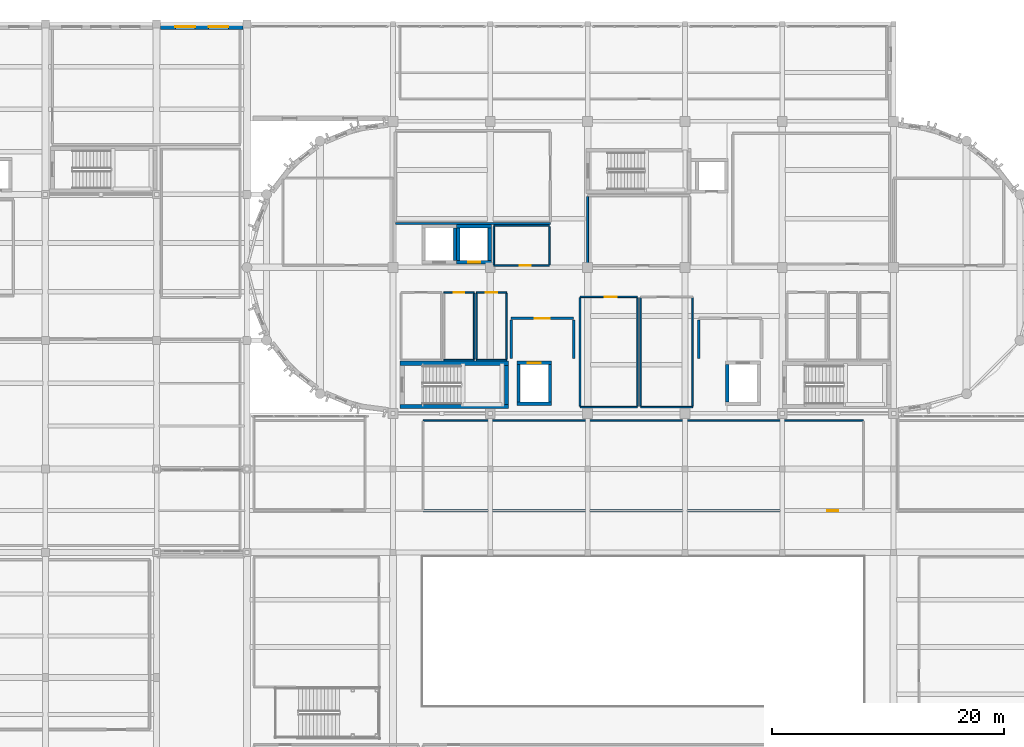
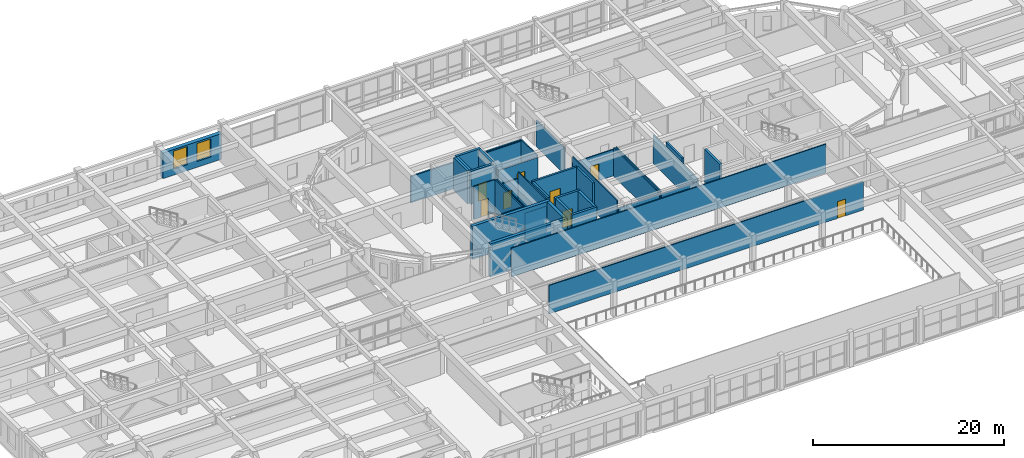
# One storey, part 69 of 92: 40 walls, 8 doors, 2 windows, 10 openings.
"""IFC4 building model written with IfcOpenShell, lengths in metres."""

from ifc_helpers import new_model, si_unit, direction, frame, frame_2d, origin, place, context, subcontext, project, spatial, rectangle, extrude, material, layer, layer_set, type_object, element, fill, save


model = new_model("IFC4")

# Units and contexts
model_context = context("Model", 3, precision=1e-05, world=origin(), true_north=direction((0.0, 1.0)))
body_context = subcontext(model_context, "Body", "Model", "MODEL_VIEW")
ifc_project = project(units=[si_unit("LENGTHUNIT", "METRE"), si_unit("AREAUNIT", "SQUARE_METRE"), si_unit("VOLUMEUNIT", "CUBIC_METRE"), si_unit("PLANEANGLEUNIT", "RADIAN"), si_unit("MASSUNIT", "GRAM", prefix="KILO")], contexts=[model_context])

# Site, building, storey
site_placement = place(None, origin())
site = spatial("IfcSite", under=ifc_project, at=site_placement, CompositionType="ELEMENT")
building_placement = place(site_placement, origin())
building = spatial("IfcBuilding", under=site, at=building_placement, Name="Tarnavel Promenade Courthouse", CompositionType="ELEMENT")
storey_placement = place(building_placement, frame((0.0, 0.0, 5.39990234375)))
storey = spatial("IfcBuildingStorey", under=building, at=storey_placement, Name="L02", CompositionType="ELEMENT", Elevation=5.39990234375)

# Wall
ifc_material_1 = material(Name="Acoustic Insulated Gypsum Stud Partition", Category="gypsum")
ifc_layer_1 = layer(ifc_material_1, 0.1650390625)
ifc_layer_set_1 = layer_set([ifc_layer_1], Name="Acoustic Insulated Gypsum Stud Partition")
wall_type_1 = type_object("IfcWallType", Name="Acoustic Insulated Gypsum Stud Partition WL-CHM-165 (165 mm)", PredefinedType="PARTITIONING", material=ifc_layer_set_1)
wall_1_placement = place(storey_placement, frame((75.60009765625, 92.04248046875, 0.0), z_axis=(0.0, 0.0, 1.0), x_axis=(0.0, 1.0, 0.0)))
element("IfcWall", 1, at=wall_1_placement, inside=storey, type_object=wall_type_1, Name="L02 L02 Judicial Panel Deliberation Salon Partition 0380", PredefinedType="PARTITIONING", context=body_context, shape_type="SweptSolid", body=[
    extrude(rectangle(XDim=5.864990234375, YDim=0.1650390625, at=frame_2d((2.9326171875, 0.0))), origin(), (0.0, 0.0, 1.0), 3.3701171875),
])

# Wall, opening, door
ifc_material_2 = material(Name="Concrete C40/50", Category="concrete")
ifc_layer_2 = layer(ifc_material_2, 0.280029296875)
ifc_layer_set_2 = layer_set([ifc_layer_2], Name="Concrete C40/50")
wall_type_2 = type_object("IfcWallType", Name="Concrete C40/50 WL-SHR-280 (280 mm)", PredefinedType="SHEAR", material=ifc_layer_set_2)
wall_2_placement = place(storey_placement, frame((69.5, 83.56005859375, 0.0), z_axis=(0.0, 0.0, 1.0), x_axis=(1.0, 0.0, 0.0)))
wall_2 = element("IfcWall", 2, at=wall_2_placement, inside=storey, type_object=wall_type_2, Name="L02 L-FF1 Lift Shaft North Wall", PredefinedType="SHEAR", context=body_context, shape_type="SweptSolid", body=[
    extrude(rectangle(XDim=3.0, YDim=0.280029296875, at=frame_2d((1.5, 0.0))), origin(), (0.0, 0.0, 1.0), 4.239990234375),
])
opening_1_placement = place(wall_2_placement, frame((0.949951171875, 0.0, 0.0)))
opening_1 = element("IfcOpeningElement", 3, at=opening_1_placement, cuts=wall_2, Name="Opening LD-01", PredefinedType="OPENING", context=body_context, shape_type="SweptSolid", body=[
    extrude(rectangle(XDim=1.10009765625, YDim=2.199951171875, at=frame_2d((0.550048828125, 1.10009765625))), frame((0.0, 0.14990234375, 0.0), z_axis=(0.0, -1.0, 0.0), x_axis=(1.0, 0.0, 0.0)), (0.0, 0.0, 1.0), 0.300048828125),
])
ifc_material_3 = material(Name="Stainless Steel Firefighting Lift Landing Sliding Door", Category="steel")
door_type_1 = type_object("IfcDoorType", Name="Stainless Steel Firefighting Lift Landing Sliding Door (LD-FF-1100x2200)", OperationType="NOTDEFINED", PredefinedType="DOOR", material=ifc_material_3)
door_1_placement = place(opening_1_placement, origin())
door_1 = element("IfcDoor", 4, at=door_1_placement, inside=storey, type_object=door_type_1, Name="L02 L-FF1 Lift Sliding Landing Door", OperationType="DOUBLE_DOOR_SLIDING", OverallHeight=2.199951171875, OverallWidth=1.10009765625, PredefinedType="DOOR", context=body_context, shape_type="SweptSolid", body=[
    extrude(rectangle(XDim=1.10009765625, YDim=2.199951171875, at=frame_2d((0.550048828125, 1.10009765625))), frame((0.0, 0.02490234375, 0.0), z_axis=(0.0, -1.0, 0.0), x_axis=(1.0, 0.0, 0.0)), (0.0, 0.0, 1.0), 0.050048828125),
])
fill(opening_1, door_1)

# Walls
wall_3_placement = place(storey_placement, frame((72.5, 80.0400390625, 0.0), z_axis=(0.0, 0.0, 1.0), x_axis=(-1.0, 0.0, 0.0)))
element("IfcWall", 5, at=wall_3_placement, inside=storey, type_object=wall_type_2, Name="L02 L-FF1 Lift Shaft South Wall", PredefinedType="SHEAR", context=body_context, shape_type="SweptSolid", body=[
    extrude(rectangle(XDim=3.0, YDim=0.280029296875, at=frame_2d((1.5, 0.0))), origin(), (0.0, 0.0, 1.0), 4.239990234375),
])
for number, where, z_axis, x_axis, name in (
    (6, (69.639892578125, 80.179931640625, 0.0), (0.0, 0.0, 1.0), (0.0, 1.0, 0.0), "L02 L-FF1 Lift Shaft West Wall"),
    (7, (72.360107421875, 83.419921875, 0.0), (0.0, 0.0, 1.0), (0.0, -1.0, 0.0), "L02 L-FF1 Lift Shaft East Wall"),
    (8, (87.639892578125, 80.179931640625, 0.0), (0.0, 0.0, 1.0), (0.0, 1.0, 0.0), "L02 L-FF2 Lift Shaft West Wall"),
):
    element("IfcWall", number, at=place(storey_placement, frame(where, z_axis=z_axis, x_axis=x_axis)), inside=storey, type_object=wall_type_2, Name=name, PredefinedType="SHEAR", context=body_context, shape_type="SweptSolid", body=[
        extrude(rectangle(XDim=3.239990234375, YDim=0.280029296875, at=frame_2d((1.6201171875, 0.0))), origin(), (0.0, 0.0, 1.0), 4.239990234375),
    ])
wall_4_placement = place(storey_placement, frame((64.159912109375, 95.219970703125, 0.0), z_axis=(0.0, 0.0, 1.0), x_axis=(0.0, -1.0, 0.0)))
element("IfcWall", 9, at=wall_4_placement, inside=storey, type_object=wall_type_2, Name="L02 L-PUB1 Lift Shaft East Wall", PredefinedType="SHEAR", context=body_context, shape_type="SweptSolid", body=[
    extrude(rectangle(XDim=2.840087890625, YDim=0.280029296875, at=frame_2d((1.419921875, 0.0))), origin(), (0.0, 0.0, 1.0), 4.239990234375),
])
wall_5_placement = place(storey_placement, frame((64.300048828125, 95.360107421875, 0.0), z_axis=(0.0, 0.0, 1.0), x_axis=(1.0, 0.0, 0.0)))
element("IfcWall", 10, at=wall_5_placement, inside=storey, type_object=wall_type_2, Name="L02 L-PUB2 Lift Shaft North Wall", PredefinedType="SHEAR", context=body_context, shape_type="SweptSolid", body=[
    extrude(rectangle(XDim=3.0, YDim=0.280029296875, at=frame_2d((1.5, 0.0))), origin(), (0.0, 0.0, 1.0), 4.239990234375),
])

# Wall, opening, door
wall_6_placement = place(storey_placement, frame((67.300048828125, 92.239990234375, 0.0), z_axis=(0.0, 0.0, 1.0), x_axis=(-1.0, 0.0, 0.0)))
wall_6 = element("IfcWall", 11, at=wall_6_placement, inside=storey, type_object=wall_type_2, Name="L02 L-PUB2 Lift Shaft South Wall", PredefinedType="SHEAR", context=body_context, shape_type="SweptSolid", body=[
    extrude(rectangle(XDim=3.0, YDim=0.280029296875, at=frame_2d((1.5, 0.0))), origin(), (0.0, 0.0, 1.0), 4.239990234375),
])
opening_2_placement = place(wall_6_placement, frame((0.97509765625, 0.0, 0.0)))
opening_2 = element("IfcOpeningElement", 12, at=opening_2_placement, cuts=wall_6, Name="Opening LD-02", PredefinedType="OPENING", context=body_context, shape_type="SweptSolid", body=[
    extrude(rectangle(XDim=1.050048828125, YDim=2.199951171875, at=frame_2d((0.52490234375, 1.10009765625))), frame((0.0, 0.14990234375, 0.0), z_axis=(0.0, -1.0, 0.0), x_axis=(1.0, 0.0, 0.0)), (0.0, 0.0, 1.0), 0.300048828125),
])
ifc_material_4 = material(Name="Brushed Bronze Passenger Lift Landing Sliding Door")
door_type_2 = type_object("IfcDoorType", Name="Brushed Bronze Passenger Lift Landing Sliding Door (LD-PUB-1050x2200)", OperationType="NOTDEFINED", PredefinedType="DOOR", material=ifc_material_4)
door_2_placement = place(opening_2_placement, origin())
door_2 = element("IfcDoor", 13, at=door_2_placement, inside=storey, type_object=door_type_2, Name="L02 L-PUB2 Lift Sliding Landing Door", OperationType="DOUBLE_DOOR_SLIDING", OverallHeight=2.199951171875, OverallWidth=1.050048828125, PredefinedType="DOOR", context=body_context, shape_type="SweptSolid", body=[
    extrude(rectangle(XDim=1.050048828125, YDim=2.199951171875, at=frame_2d((0.52490234375, 1.10009765625))), frame((0.0, 0.02490234375, 0.0), z_axis=(0.0, -1.0, 0.0), x_axis=(1.0, 0.0, 0.0)), (0.0, 0.0, 1.0), 0.050048828125),
])
fill(opening_2, door_2)

# Walls
for number, where, z_axis, x_axis, name in (
    (14, (64.43994140625, 92.3798828125, 0.0), (0.0, 0.0, 1.0), (0.0, 1.0, 0.0), "L02 L-PUB2 Lift Shaft West Wall"),
    (15, (67.159912109375, 95.219970703125, 0.0), (0.0, 0.0, 1.0), (0.0, -1.0, 0.0), "L02 L-PUB2 Lift Shaft East Wall"),
):
    element("IfcWall", number, at=place(storey_placement, frame(where, z_axis=z_axis, x_axis=x_axis)), inside=storey, type_object=wall_type_2, Name=name, PredefinedType="SHEAR", context=body_context, shape_type="SweptSolid", body=[
        extrude(rectangle(XDim=2.840087890625, YDim=0.280029296875, at=frame_2d((1.419921875, 0.0))), origin(), (0.0, 0.0, 1.0), 4.239990234375),
    ])
ifc_layer_3 = layer(ifc_material_2, 0.360107421875)
ifc_layer_set_3 = layer_set([ifc_layer_3], Name="Concrete C40/50")
wall_type_3 = type_object("IfcWallType", Name="Concrete C40/50 WL-SHR-360 (360 mm)", PredefinedType="SHEAR", material=ifc_layer_set_3)
for number, where, z_axis, x_axis, name in (
    (16, (59.419921875, 83.52001953125, 0.0), (0.0, 0.0, 1.0), (1.0, 0.0, 0.0), "L02 ST-01 Shear Core North Wall"),
    (17, (68.780029296875, 79.800048828125, 0.0), (0.0, 0.0, 1.0), (-1.0, 0.0, 0.0), "L02 ST-01 Shear Core South Wall"),
):
    element("IfcWall", number, at=place(storey_placement, frame(where, z_axis=z_axis, x_axis=x_axis)), inside=storey, type_object=wall_type_3, Name=name, PredefinedType="SHEAR", context=body_context, shape_type="SweptSolid", body=[
        extrude(rectangle(XDim=9.360107421875, YDim=0.360107421875, at=frame_2d((4.68017578125, 0.0))), origin(), (0.0, 0.0, 1.0), 4.239990234375),
    ])
wall_7_placement = place(storey_placement, frame((68.60009765625, 83.340087890625, 0.0), z_axis=(0.0, 0.0, 1.0), x_axis=(0.0, -1.0, 0.0)))
element("IfcWall", 18, at=wall_7_placement, inside=storey, type_object=wall_type_3, Name="L02 ST-01 Shear Core East Wall", PredefinedType="SHEAR", context=body_context, shape_type="SweptSolid", body=[
    extrude(rectangle(XDim=3.360107421875, YDim=0.360107421875, at=frame_2d((1.68017578125, 0.0))), origin(), (0.0, 0.0, 1.0), 4.239990234375),
])

# Wall, opening, door
ifc_material_5 = material(Name="Concrete Masonry Fire Compartment Wall", Category="masonry")
ifc_layer_4 = layer(ifc_material_5, 0.22998046875)
ifc_layer_set_4 = layer_set([ifc_layer_4], Name="Concrete Masonry Fire Compartment Wall")
wall_type_4 = type_object("IfcWallType", Name="Concrete Masonry Fire Compartment Wall WL-CMP-230 (230 mm)", PredefinedType="STANDARD", material=ifc_layer_set_4)
wall_8_placement = place(storey_placement, frame((69.0, 87.39990234375, 0.0), z_axis=(0.0, 0.0, 1.0), x_axis=(1.0, 0.0, 0.0)))
wall_8 = element("IfcWall", 19, at=wall_8_placement, inside=storey, type_object=wall_type_4, Name="L02 Firefighting Lobby L-FF1 Partition 0248", PredefinedType="STANDARD", context=body_context, shape_type="SweptSolid", body=[
    extrude(rectangle(XDim=5.39990234375, YDim=0.22998046875, at=frame_2d((2.699951171875, 0.0))), origin(), (0.0, 0.0, 1.0), 4.22509765625),
])
opening_3_placement = place(wall_8_placement, frame((2.050048828125, 0.0, 0.0)))
opening_3 = element("IfcOpeningElement", 20, at=opening_3_placement, cuts=wall_8, Name="Opening FD-03", PredefinedType="OPENING", context=body_context, shape_type="SweptSolid", body=[
    extrude(rectangle(XDim=1.300048828125, YDim=2.199951171875, at=frame_2d((0.64990234375, 1.10009765625))), frame((0.0, 0.125, 0.0), z_axis=(0.0, -1.0, 0.0), x_axis=(1.0, 0.0, 0.0)), (0.0, 0.0, 1.0), 0.25),
])
ifc_material_6 = material(Name="Smoke-Sealed Firefighting Lobby Fire Door")
door_type_3 = type_object("IfcDoorType", Name="Smoke-Sealed Firefighting Lobby Fire Door (DR-FFL-1300x2200)", OperationType="NOTDEFINED", PredefinedType="DOOR", material=ifc_material_6)
door_3_placement = place(opening_3_placement, origin())
door_3 = element("IfcDoor", 21, at=door_3_placement, inside=storey, type_object=door_type_3, Name="L02 Firefighting Lobby L-FF1 Door 0071", OperationType="SINGLE_SWING_LEFT", OverallHeight=2.199951171875, OverallWidth=1.300048828125, PredefinedType="DOOR", context=body_context, shape_type="SweptSolid", body=[
    extrude(rectangle(XDim=1.300048828125, YDim=2.199951171875, at=frame_2d((0.64990234375, 1.10009765625))), frame((0.0, 0.02490234375, 0.0), z_axis=(0.0, -1.0, 0.0), x_axis=(1.0, 0.0, 0.0)), (0.0, 0.0, 1.0), 0.050048828125),
])
fill(opening_3, door_3)

# Walls
for number, where, z_axis, x_axis, name in (
    (22, (69.0, 83.925048828125, 0.0), (0.0, 0.0, 1.0), (0.0, 1.0, 0.0), "L02 Firefighting Lobby L-FF1 Partition 0249"),
    (23, (74.39990234375, 87.27490234375, 0.0), (0.0, 0.0, 1.0), (0.0, -1.0, 0.0), "L02 Firefighting Lobby L-FF1 Partition 0250"),
):
    element("IfcWall", number, at=place(storey_placement, frame(where, z_axis=z_axis, x_axis=x_axis)), inside=storey, type_object=wall_type_4, Name=name, PredefinedType="STANDARD", context=body_context, shape_type="SweptSolid", body=[
        extrude(rectangle(XDim=3.349853515625, YDim=0.22998046875, at=frame_2d((1.6748046875, 0.0))), origin(), (0.0, 0.0, 1.0), 4.22509765625),
    ])
wall_9_placement = place(storey_placement, frame((85.199951171875, 83.925048828125, 0.0), z_axis=(0.0, 0.0, 1.0), x_axis=(0.0, 1.0, 0.0)))
element("IfcWall", 24, at=wall_9_placement, inside=storey, type_object=wall_type_4, Name="L02 Firefighting Lobby L-FF2 Partition 0252", PredefinedType="STANDARD", context=body_context, shape_type="SweptSolid", body=[
    extrude(rectangle(XDim=3.349853515625, YDim=0.22998046875, at=frame_2d((1.6748046875, 0.0))), origin(), (0.0, 0.0, 1.0), 3.6201171875),
])
ifc_material_7 = material(Name="Double-Stud Acoustic Courtroom Partition Assembly", Category="gypsum")
ifc_layer_5 = layer(ifc_material_7, 0.18505859375)
ifc_layer_set_5 = layer_set([ifc_layer_5], Name="Double-Stud Acoustic Courtroom Partition Assembly")
wall_type_5 = type_object("IfcWallType", Name="Double-Stud Acoustic Courtroom Partition Assembly WL-CRT-185 (185 mm)", PredefinedType="PARTITIONING", material=ifc_layer_set_5)
wall_10_placement = place(storey_placement, frame((72.39990234375, 95.60009765625, 0.0), z_axis=(0.0, 0.0, 1.0), x_axis=(-1.0, 0.0, 0.0)))
element("IfcWall", 25, at=wall_10_placement, inside=storey, type_object=wall_type_5, Name="L02 District Motion Hearing Courtroom Partition 0371", PredefinedType="PARTITIONING", context=body_context, shape_type="SweptSolid", body=[
    extrude(rectangle(XDim=13.39990234375, YDim=0.18505859375, at=frame_2d((6.699951171875, 0.0))), origin(), (0.0, 0.0, 1.0), 3.3701171875),
])

# Wall, openings, windows
ifc_material_8 = material(Name="Limestone Ashlar Faced Insulated Brick Masonry", Category="masonry")
ifc_layer_6 = layer(ifc_material_8, 0.47998046875)
ifc_layer_set_6 = layer_set([ifc_layer_6], Name="Limestone Ashlar Faced Insulated Brick Masonry")
wall_type_6 = type_object("IfcWallType", Name="Limestone Ashlar Faced Insulated Brick Masonry WL-EXT-480 (480 mm)", PredefinedType="STANDARD", material=ifc_layer_set_6)
wall_11_placement = place(storey_placement, frame((38.741943359375, 112.56005859375, 0.0), z_axis=(0.0, 0.0, 1.0), x_axis=(1.0, 0.0, 0.0)))
wall_11 = element("IfcWall", 26, at=wall_11_placement, inside=storey, type_object=wall_type_6, Name="L02 Trial Wing North Ashlar Facade 0285", PredefinedType="STANDARD", context=body_context, shape_type="SweptSolid", body=[
    extrude(rectangle(XDim=7.115966796875, YDim=0.47998046875, at=frame_2d((3.55810546875, 0.0))), origin(), (0.0, 0.0, 1.0), 3.280029296875),
])
opening_4_placement = place(wall_11_placement, frame((1.27294921875, 0.0, 0.760009765625)))
opening_4 = element("IfcOpeningElement", 27, at=opening_4_placement, cuts=wall_11, Name="Opening W-01", PredefinedType="OPENING", context=body_context, shape_type="SweptSolid", body=[
    extrude(rectangle(XDim=1.699951171875, YDim=2.300048828125, at=frame_2d((0.85009765625, 1.14990234375))), frame((0.0, 0.25, 0.0), z_axis=(0.0, -1.0, 0.0), x_axis=(1.0, 0.0, 0.0)), (0.0, 0.0, 1.0), 0.5),
])
opening_5_placement = place(wall_11_placement, frame((4.14306640625, 0.0, 0.760009765625)))
opening_5 = element("IfcOpeningElement", 28, at=opening_5_placement, cuts=wall_11, Name="Opening W-01", PredefinedType="OPENING", context=body_context, shape_type="SweptSolid", body=[
    extrude(rectangle(XDim=1.699951171875, YDim=2.300048828125, at=frame_2d((0.85009765625, 1.14990234375))), frame((0.0, 0.25, 0.0), z_axis=(0.0, -1.0, 0.0), x_axis=(1.0, 0.0, 0.0)), (0.0, 0.0, 1.0), 0.5),
])
ifc_material_9 = material(Name="Triple Low-E Glazed Bronze-Clad Window Assembly")
window_type = type_object("IfcWindowType", Name="Triple-Glazed Bronze-Clad Timber-Aluminium WIN-CRT-1700x2300", PartitioningType="SINGLE_PANEL", PredefinedType="WINDOW", material=ifc_material_9)
window_1_placement = place(opening_4_placement, origin())
window_1 = element("IfcWindow", 29, at=window_1_placement, inside=storey, type_object=window_type, Name="L02 Exterior Window 0262", OverallHeight=2.300048828125, OverallWidth=1.699951171875, PartitioningType="SINGLE_PANEL", PredefinedType="WINDOW", context=body_context, shape_type="SweptSolid", body=[
    extrude(rectangle(XDim=1.699951171875, YDim=2.300048828125, at=frame_2d((0.85009765625, 1.14990234375))), frame((0.0, 0.030029296875, 0.0), z_axis=(0.0, -1.0, 0.0), x_axis=(1.0, 0.0, 0.0)), (0.0, 0.0, 1.0), 0.06005859375),
])
fill(opening_4, window_1)
window_2_placement = place(opening_5_placement, origin())
window_2 = element("IfcWindow", 30, at=window_2_placement, inside=storey, type_object=window_type, Name="L02 Exterior Window 0263", OverallHeight=2.300048828125, OverallWidth=1.699951171875, PartitioningType="SINGLE_PANEL", PredefinedType="WINDOW", context=body_context, shape_type="SweptSolid", body=[
    extrude(rectangle(XDim=1.699951171875, YDim=2.300048828125, at=frame_2d((0.85009765625, 1.14990234375))), frame((0.0, 0.030029296875, 0.0), z_axis=(0.0, -1.0, 0.0), x_axis=(1.0, 0.0, 0.0)), (0.0, 0.0, 1.0), 0.06005859375),
])
fill(opening_5, window_2)

# Wall
ifc_material_10 = material(Name="Metal-Stud Acoustic Gypsum Partition", Category="gypsum")
ifc_layer_7 = layer(ifc_material_10, 0.135009765625)
ifc_layer_set_7 = layer_set([ifc_layer_7], Name="Metal-Stud Acoustic Gypsum Partition")
wall_type_7 = type_object("IfcWallType", Name="Metal-Stud Acoustic Gypsum Partition WL-OFF-135 (135 mm)", PredefinedType="PARTITIONING", material=ifc_layer_set_7)
wall_12_placement = place(storey_placement, frame((61.39990234375, 78.60009765625, 0.0), z_axis=(0.0, 0.0, 1.0), x_axis=(1.0, 0.0, 0.0)))
element("IfcWall", 31, at=wall_12_placement, inside=storey, type_object=wall_type_7, Name="L02 First Balcony Appellate Case Docket Registry Partition 0334", PredefinedType="PARTITIONING", context=body_context, shape_type="SweptSolid", body=[
    extrude(rectangle(XDim=38.0, YDim=0.135009765625, at=frame_2d((19.0, 0.0))), origin(), (0.0, 0.0, 1.0), 3.68017578125),
])

# Wall, opening, door
wall_13_placement = place(storey_placement, frame((99.39990234375, 70.800048828125, 0.0), z_axis=(0.0, 0.0, 1.0), x_axis=(-1.0, 0.0, 0.0)))
wall_13 = element("IfcWall", 32, at=wall_13_placement, inside=storey, type_object=wall_type_7, Name="L02 First Balcony Appellate Case Docket Registry Partition 0335", PredefinedType="PARTITIONING", context=body_context, shape_type="SweptSolid", body=[
    extrude(rectangle(XDim=38.0, YDim=0.135009765625, at=frame_2d((19.0, 0.0))), origin(), (0.0, 0.0, 1.0), 3.630126953125),
])
opening_6_placement = place(wall_13_placement, frame((2.16748046875, 0.0, 0.0)))
opening_6 = element("IfcOpeningElement", 33, at=opening_6_placement, cuts=wall_13, Name="Opening ID-06", PredefinedType="OPENING", context=body_context, shape_type="SweptSolid", body=[
    extrude(rectangle(XDim=0.949951171875, YDim=2.14990234375, at=frame_2d((0.47509765625, 1.074951171875))), frame((0.0, 0.077392578125, 0.0), z_axis=(0.0, -1.0, 0.0), x_axis=(1.0, 0.0, 0.0)), (0.0, 0.0, 1.0), 0.155029296875),
])
ifc_material_11 = material(Name="Acoustic Timber Veneer Office Door", Category="wood")
door_type_4 = type_object("IfcDoorType", Name="Acoustic Timber Veneer Office Door (DR-OFF-0950x2150)", OperationType="NOTDEFINED", PredefinedType="DOOR", material=ifc_material_11)
door_4_placement = place(opening_6_placement, origin())
door_4 = element("IfcDoor", 34, at=door_4_placement, inside=storey, type_object=door_type_4, Name="L02 First Balcony Appellate Case Docket Registry Door 0096", OperationType="SINGLE_SWING_RIGHT", OverallHeight=2.14990234375, OverallWidth=0.949951171875, PredefinedType="DOOR", context=body_context, shape_type="SweptSolid", body=[
    extrude(rectangle(XDim=0.949951171875, YDim=2.14990234375, at=frame_2d((0.47509765625, 1.074951171875))), frame((0.0, 0.02490234375, 0.0), z_axis=(0.0, -1.0, 0.0), x_axis=(1.0, 0.0, 0.0)), (0.0, 0.0, 1.0), 0.050048828125),
])
fill(opening_6, door_4)

# Wall
wall_14_placement = place(storey_placement, frame((67.5, 95.39990234375, 0.0), z_axis=(0.0, 0.0, 1.0), x_axis=(1.0, 0.0, 0.0)))
element("IfcWall", 35, at=wall_14_placement, inside=storey, type_object=wall_type_7, Name="L02 L02 Judicial Case Clerks' Room Partition 0374", PredefinedType="PARTITIONING", context=body_context, shape_type="SweptSolid", body=[
    extrude(rectangle(XDim=4.800048828125, YDim=0.135009765625, at=frame_2d((2.39990234375, 0.0))), origin(), (0.0, 0.0, 1.0), 3.3701171875),
])

# Wall, opening, door
wall_15_placement = place(storey_placement, frame((72.300048828125, 91.949951171875, 0.0), z_axis=(0.0, 0.0, 1.0), x_axis=(-1.0, 0.0, 0.0)))
wall_15 = element("IfcWall", 36, at=wall_15_placement, inside=storey, type_object=wall_type_7, Name="L02 L02 Judicial Case Clerks' Room Partition 0375", PredefinedType="PARTITIONING", context=body_context, shape_type="SweptSolid", body=[
    extrude(rectangle(XDim=4.800048828125, YDim=0.135009765625, at=frame_2d((2.39990234375, 0.0))), origin(), (0.0, 0.0, 1.0), 3.3701171875),
])
opening_7_placement = place(wall_15_placement, frame((1.610107421875, 0.0, 0.0)))
opening_7 = element("IfcOpeningElement", 37, at=opening_7_placement, cuts=wall_15, Name="Opening ID-06", PredefinedType="OPENING", context=body_context, shape_type="SweptSolid", body=[
    extrude(rectangle(XDim=0.949951171875, YDim=2.14990234375, at=frame_2d((0.47509765625, 1.074951171875))), frame((0.0, 0.077392578125, 0.0), z_axis=(0.0, -1.0, 0.0), x_axis=(1.0, 0.0, 0.0)), (0.0, 0.0, 1.0), 0.155029296875),
])
door_5_placement = place(opening_7_placement, origin())
door_5 = element("IfcDoor", 38, at=door_5_placement, inside=storey, type_object=door_type_4, Name="L02 L02 Judicial Case Clerks' Room Door 0108", OperationType="SINGLE_SWING_RIGHT", OverallHeight=2.14990234375, OverallWidth=0.949951171875, PredefinedType="DOOR", context=body_context, shape_type="SweptSolid", body=[
    extrude(rectangle(XDim=0.949951171875, YDim=2.14990234375, at=frame_2d((0.47509765625, 1.074951171875))), frame((0.0, 0.02490234375, 0.0), z_axis=(0.0, -1.0, 0.0), x_axis=(1.0, 0.0, 0.0)), (0.0, 0.0, 1.0), 0.050048828125),
])
fill(opening_7, door_5)

# Walls
wall_16_placement = place(storey_placement, frame((67.5, 92.027587890625, 0.0), z_axis=(0.0, 0.0, 1.0), x_axis=(0.0, 1.0, 0.0)))
element("IfcWall", 39, at=wall_16_placement, inside=storey, type_object=wall_type_7, Name="L02 L02 Judicial Case Clerks' Room Partition 0376", PredefinedType="PARTITIONING", context=body_context, shape_type="SweptSolid", body=[
    extrude(rectangle(XDim=3.294921875, YDim=0.135009765625, at=frame_2d((1.6474609375, 0.0))), origin(), (0.0, 0.0, 1.0), 3.3701171875),
])
wall_17_placement = place(storey_placement, frame((72.300048828125, 95.322509765625, 0.0), z_axis=(0.0, 0.0, 1.0), x_axis=(0.0, -1.0, 0.0)))
element("IfcWall", 40, at=wall_17_placement, inside=storey, type_object=wall_type_7, Name="L02 L02 Judicial Case Clerks' Room Partition 0377", PredefinedType="PARTITIONING", context=body_context, shape_type="SweptSolid", body=[
    extrude(rectangle(XDim=3.294921875, YDim=0.135009765625, at=frame_2d((1.6474609375, 0.0))), origin(), (0.0, 0.0, 1.0), 3.570068359375),
])

# Wall, opening, door
wall_18_placement = place(storey_placement, frame((74.93994140625, 89.260009765625, 0.0), z_axis=(0.0, 0.0, 1.0), x_axis=(1.0, 0.0, 0.0)))
wall_18 = element("IfcWall", 41, at=wall_18_placement, inside=storey, type_object=wall_type_7, Name="L02 Civil Case Settlement Room Partition 0386", PredefinedType="PARTITIONING", context=body_context, shape_type="SweptSolid", body=[
    extrude(rectangle(XDim=4.9580078125, YDim=0.135009765625, at=frame_2d((2.47900390625, 0.0))), origin(), (0.0, 0.0, 1.0), 3.3701171875),
])
opening_8_placement = place(wall_18_placement, frame((2.130859375, 0.0, 0.0)))
opening_8 = element("IfcOpeningElement", 42, at=opening_8_placement, cuts=wall_18, Name="Opening ID-07", PredefinedType="OPENING", context=body_context, shape_type="SweptSolid", body=[
    extrude(rectangle(XDim=1.02001953125, YDim=2.14990234375, at=frame_2d((0.510009765625, 1.074951171875))), frame((0.0, 0.077392578125, 0.0), z_axis=(0.0, -1.0, 0.0), x_axis=(1.0, 0.0, 0.0)), (0.0, 0.0, 1.0), 0.155029296875),
])
ifc_material_12 = material(Name="Acoustic Timber Seminar Room Door", Category="wood")
door_type_5 = type_object("IfcDoorType", Name="Acoustic Timber Seminar Room Door (DR-MTG-1020x2150)", OperationType="NOTDEFINED", PredefinedType="DOOR", material=ifc_material_12)
door_6_placement = place(opening_8_placement, origin())
door_6 = element("IfcDoor", 43, at=door_6_placement, inside=storey, type_object=door_type_5, Name="L02 Civil Case Settlement Room Door 0111", OperationType="SINGLE_SWING_LEFT", OverallHeight=2.14990234375, OverallWidth=1.02001953125, PredefinedType="DOOR", context=body_context, shape_type="SweptSolid", body=[
    extrude(rectangle(XDim=1.02001953125, YDim=2.14990234375, at=frame_2d((0.510009765625, 1.074951171875))), frame((0.0, 0.02490234375, 0.0), z_axis=(0.0, -1.0, 0.0), x_axis=(1.0, 0.0, 0.0)), (0.0, 0.0, 1.0), 0.050048828125),
])
fill(opening_8, door_6)

# Walls
wall_19_placement = place(storey_placement, frame((79.89794921875, 79.739990234375, 0.0), z_axis=(0.0, 0.0, 1.0), x_axis=(-1.0, 0.0, 0.0)))
element("IfcWall", 44, at=wall_19_placement, inside=storey, type_object=wall_type_7, Name="L02 Civil Case Settlement Room Partition 0387", PredefinedType="PARTITIONING", context=body_context, shape_type="SweptSolid", body=[
    extrude(rectangle(XDim=4.9580078125, YDim=0.135009765625, at=frame_2d((2.47900390625, 0.0))), origin(), (0.0, 0.0, 1.0), 3.3701171875),
])
wall_20_placement = place(storey_placement, frame((74.93994140625, 79.8173828125, 0.0), z_axis=(0.0, 0.0, 1.0), x_axis=(0.0, 1.0, 0.0)))
element("IfcWall", 45, at=wall_20_placement, inside=storey, type_object=wall_type_7, Name="L02 Civil Case Settlement Room Partition 0388", PredefinedType="PARTITIONING", context=body_context, shape_type="SweptSolid", body=[
    extrude(rectangle(XDim=9.365234375, YDim=0.135009765625, at=frame_2d((4.6826171875, 0.0))), origin(), (0.0, 0.0, 1.0), 4.22509765625),
])
wall_21_placement = place(storey_placement, frame((79.89794921875, 89.1826171875, 0.0), z_axis=(0.0, 0.0, 1.0), x_axis=(0.0, -1.0, 0.0)))
element("IfcWall", 46, at=wall_21_placement, inside=storey, type_object=wall_type_7, Name="L02 Civil Case Settlement Room Partition 0389", PredefinedType="PARTITIONING", context=body_context, shape_type="SweptSolid", body=[
    extrude(rectangle(XDim=9.365234375, YDim=0.135009765625, at=frame_2d((4.6826171875, 0.0))), origin(), (0.0, 0.0, 1.0), 3.6201171875),
])
wall_22_placement = place(storey_placement, frame((84.659912109375, 79.739990234375, 0.0), z_axis=(0.0, 0.0, 1.0), x_axis=(-1.0, 0.0, 0.0)))
element("IfcWall", 47, at=wall_22_placement, inside=storey, type_object=wall_type_7, Name="L02 Witness Waiting Room Central Partition 0391", PredefinedType="PARTITIONING", context=body_context, shape_type="SweptSolid", body=[
    extrude(rectangle(XDim=4.48193359375, YDim=0.135009765625, at=frame_2d((2.240966796875, 0.0))), origin(), (0.0, 0.0, 1.0), 3.3701171875),
])
for number, where, z_axis, x_axis, name in (
    (48, (80.177978515625, 79.8173828125, 0.0), (0.0, 0.0, 1.0), (0.0, 1.0, 0.0), "L02 Witness Waiting Room Central Partition 0392"),
    (49, (84.659912109375, 89.1826171875, 0.0), (0.0, 0.0, 1.0), (0.0, -1.0, 0.0), "L02 Witness Waiting Room Central Partition 0393"),
):
    element("IfcWall", number, at=place(storey_placement, frame(where, z_axis=z_axis, x_axis=x_axis)), inside=storey, type_object=wall_type_7, Name=name, PredefinedType="PARTITIONING", context=body_context, shape_type="SweptSolid", body=[
        extrude(rectangle(XDim=9.365234375, YDim=0.135009765625, at=frame_2d((4.6826171875, 0.0))), origin(), (0.0, 0.0, 1.0), 3.6201171875),
    ])

# Wall, opening, door
ifc_material_13 = material(Name="Moisture-Resistant Tile-Backed Stud Partition", Category="gypsum")
ifc_layer_8 = layer(ifc_material_13, 0.125)
ifc_layer_set_8 = layer_set([ifc_layer_8], Name="Moisture-Resistant Tile-Backed Stud Partition")
wall_type_8 = type_object("IfcWallType", Name="Moisture-Resistant Tile-Backed Stud Partition WL-WET-125 (125 mm)", PredefinedType="PARTITIONING", material=ifc_layer_set_8)
wall_23_placement = place(storey_placement, frame((63.199951171875, 89.64990234375, 0.0), z_axis=(0.0, 0.0, 1.0), x_axis=(1.0, 0.0, 0.0)))
wall_23 = element("IfcWall", 50, at=wall_23_placement, inside=storey, type_object=wall_type_8, Name="L02 Public WC Partition 0254", PredefinedType="PARTITIONING", context=body_context, shape_type="SweptSolid", body=[
    extrude(rectangle(XDim=2.60009765625, YDim=0.125, at=frame_2d((1.300048828125, 0.0))), origin(), (0.0, 0.0, 1.0), 4.22509765625),
])
opening_9_placement = place(wall_23_placement, frame((0.85009765625, 0.0, 0.0)))
opening_9 = element("IfcOpeningElement", 51, at=opening_9_placement, cuts=wall_23, Name="Opening ID-08", PredefinedType="OPENING", context=body_context, shape_type="SweptSolid", body=[
    extrude(rectangle(XDim=0.89990234375, YDim=2.10009765625, at=frame_2d((0.449951171875, 1.050048828125))), frame((0.0, 0.072509765625, 0.0), z_axis=(0.0, -1.0, 0.0), x_axis=(1.0, 0.0, 0.0)), (0.0, 0.0, 1.0), 0.14501953125),
])
ifc_material_14 = material(Name="Moisture-Resistant Laminate Restroom Door")
door_type_6 = type_object("IfcDoorType", Name="Moisture-Resistant Laminate Restroom Door (DR-WC-0900x2100)", OperationType="NOTDEFINED", PredefinedType="DOOR", material=ifc_material_14)
door_7_placement = place(opening_9_placement, origin())
door_7 = element("IfcDoor", 52, at=door_7_placement, inside=storey, type_object=door_type_6, Name="L02 Public WC Door 0073", OperationType="SINGLE_SWING_LEFT", OverallHeight=2.10009765625, OverallWidth=0.89990234375, PredefinedType="DOOR", context=body_context, shape_type="SweptSolid", body=[
    extrude(rectangle(XDim=0.89990234375, YDim=2.10009765625, at=frame_2d((0.449951171875, 1.050048828125))), frame((0.0, 0.02490234375, 0.0), z_axis=(0.0, -1.0, 0.0), x_axis=(1.0, 0.0, 0.0)), (0.0, 0.0, 1.0), 0.050048828125),
])
fill(opening_9, door_7)

# Walls
wall_24_placement = place(storey_placement, frame((65.800048828125, 83.800048828125, 0.0), z_axis=(0.0, 0.0, 1.0), x_axis=(-1.0, 0.0, 0.0)))
element("IfcWall", 53, at=wall_24_placement, inside=storey, type_object=wall_type_8, Name="L02 Public WC Partition 0255", PredefinedType="PARTITIONING", context=body_context, shape_type="SweptSolid", body=[
    extrude(rectangle(XDim=2.60009765625, YDim=0.125, at=frame_2d((1.300048828125, 0.0))), origin(), (0.0, 0.0, 1.0), 4.22509765625),
])
wall_25_placement = place(storey_placement, frame((65.800048828125, 89.577392578125, 0.0), z_axis=(0.0, 0.0, 1.0), x_axis=(0.0, -1.0, 0.0)))
element("IfcWall", 54, at=wall_25_placement, inside=storey, type_object=wall_type_8, Name="L02 Public WC Partition 0257", PredefinedType="PARTITIONING", context=body_context, shape_type="SweptSolid", body=[
    extrude(rectangle(XDim=5.704833984375, YDim=0.125, at=frame_2d((2.8525390625, 0.0))), origin(), (0.0, 0.0, 1.0), 4.22509765625),
])

# Wall, opening, door
wall_26_placement = place(storey_placement, frame((66.0, 89.64990234375, 0.0), z_axis=(0.0, 0.0, 1.0), x_axis=(1.0, 0.0, 0.0)))
wall_26 = element("IfcWall", 55, at=wall_26_placement, inside=storey, type_object=wall_type_8, Name="L02 Accessible WC Partition 0258", PredefinedType="PARTITIONING", context=body_context, shape_type="SweptSolid", body=[
    extrude(rectangle(XDim=2.60009765625, YDim=0.125, at=frame_2d((1.300048828125, 0.0))), origin(), (0.0, 0.0, 1.0), 3.3701171875),
])
opening_10_placement = place(wall_26_placement, frame((0.800048828125, 0.0, 0.0)))
opening_10 = element("IfcOpeningElement", 56, at=opening_10_placement, cuts=wall_26, Name="Opening ID-09", PredefinedType="OPENING", context=body_context, shape_type="SweptSolid", body=[
    extrude(rectangle(XDim=1.0, YDim=2.10009765625, at=frame_2d((0.5, 1.050048828125))), frame((0.0, 0.072509765625, 0.0), z_axis=(0.0, -1.0, 0.0), x_axis=(1.0, 0.0, 0.0)), (0.0, 0.0, 1.0), 0.14501953125),
])
ifc_material_15 = material(Name="Wide Accessible Restroom Outward Door")
door_type_7 = type_object("IfcDoorType", Name="Wide Accessible Restroom Outward Door (DR-AWC-1000x2100)", OperationType="NOTDEFINED", PredefinedType="DOOR", material=ifc_material_15)
door_8_placement = place(opening_10_placement, origin())
door_8 = element("IfcDoor", 57, at=door_8_placement, inside=storey, type_object=door_type_7, Name="L02 Accessible WC Door 0074", OperationType="SINGLE_SWING_RIGHT", OverallHeight=2.10009765625, OverallWidth=1.0, PredefinedType="DOOR", context=body_context, shape_type="SweptSolid", body=[
    extrude(rectangle(XDim=1.0, YDim=2.10009765625, at=frame_2d((0.5, 1.050048828125))), frame((0.0, 0.02490234375, 0.0), z_axis=(0.0, -1.0, 0.0), x_axis=(1.0, 0.0, 0.0)), (0.0, 0.0, 1.0), 0.050048828125),
])
fill(opening_10, door_8)

# Walls
wall_27_placement = place(storey_placement, frame((68.60009765625, 83.800048828125, 0.0), z_axis=(0.0, 0.0, 1.0), x_axis=(-1.0, 0.0, 0.0)))
element("IfcWall", 58, at=wall_27_placement, inside=storey, type_object=wall_type_8, Name="L02 Accessible WC Partition 0259", PredefinedType="PARTITIONING", context=body_context, shape_type="SweptSolid", body=[
    extrude(rectangle(XDim=2.60009765625, YDim=0.125, at=frame_2d((1.300048828125, 0.0))), origin(), (0.0, 0.0, 1.0), 3.3701171875),
])
for number, where, z_axis, x_axis, name in (
    (59, (66.0, 83.87255859375, 0.0), (0.0, 0.0, 1.0), (0.0, 1.0, 0.0), "L02 Accessible WC Partition 0260"),
    (60, (68.60009765625, 89.577392578125, 0.0), (0.0, 0.0, 1.0), (0.0, -1.0, 0.0), "L02 Accessible WC Partition 0261"),
):
    element("IfcWall", number, at=place(storey_placement, frame(where, z_axis=z_axis, x_axis=x_axis)), inside=storey, type_object=wall_type_8, Name=name, PredefinedType="PARTITIONING", context=body_context, shape_type="SweptSolid", body=[
        extrude(rectangle(XDim=5.704833984375, YDim=0.125, at=frame_2d((2.8525390625, 0.0))), origin(), (0.0, 0.0, 1.0), 4.22509765625),
    ])

save(model, "model.ifc")
